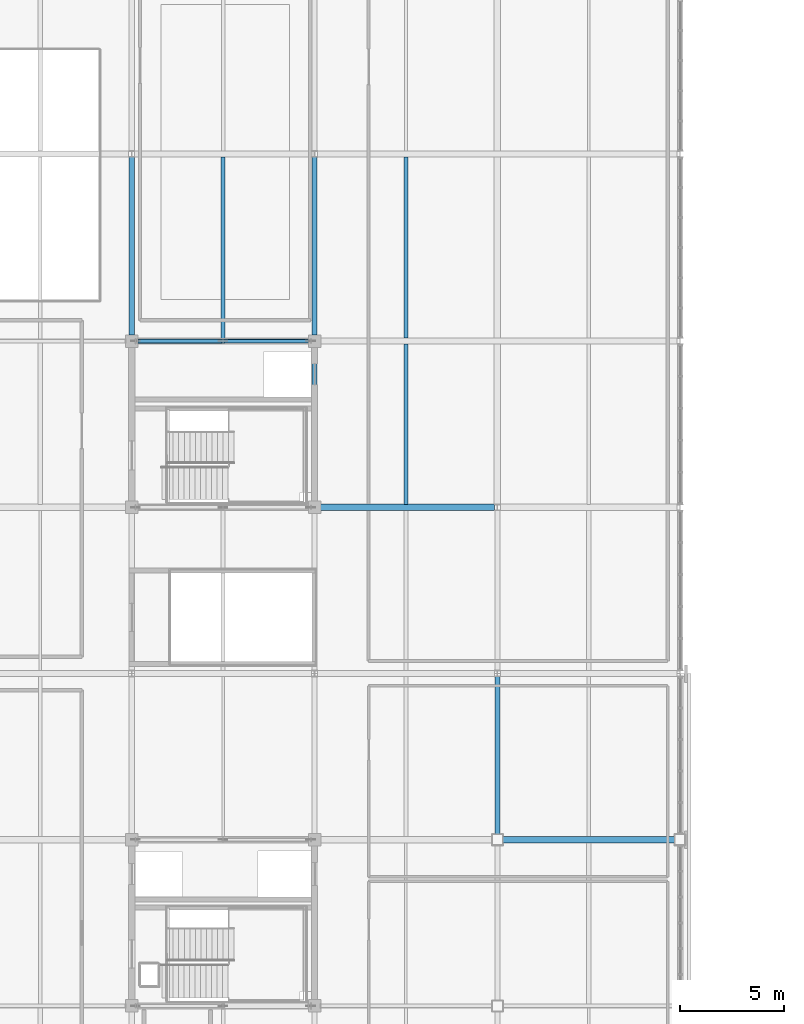
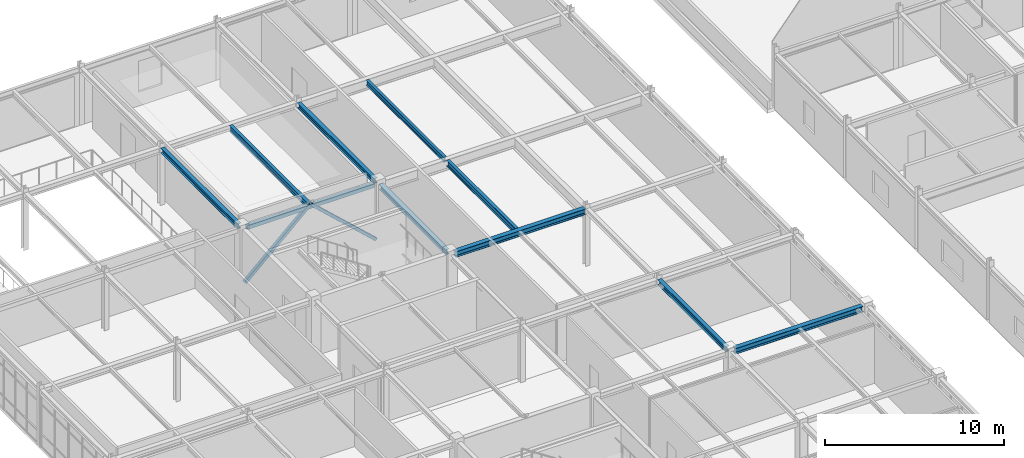
# One storey, part 30 of 88: 10 beams, 2 members.
"""IFC4 building model written with IfcOpenShell, lengths in metres."""

from ifc_helpers import new_model, si_unit, direction, frame, origin, origin_2d, place, context, subcontext, project, spatial, hollow_rectangle, i_section, extrude, material, material_profile, profile_set, type_object, element, save


model = new_model("IFC4")

# Units and contexts
model_context = context("Model", 3, precision=1e-05, world=origin(), true_north=direction((0.0, 1.0)))
body_context = subcontext(model_context, "Body", "Model", "MODEL_VIEW")
ifc_project = project(units=[si_unit("LENGTHUNIT", "METRE"), si_unit("AREAUNIT", "SQUARE_METRE"), si_unit("VOLUMEUNIT", "CUBIC_METRE"), si_unit("PLANEANGLEUNIT", "RADIAN"), si_unit("MASSUNIT", "GRAM", prefix="KILO")], contexts=[model_context])

# Site, building, storey
site_placement = place(None, origin())
site = spatial("IfcSite", under=ifc_project, at=site_placement, CompositionType="ELEMENT")
building_placement = place(site_placement, origin())
building = spatial("IfcBuilding", under=site, at=building_placement, Name="Zhaolan Boulevard Law Courts", CompositionType="ELEMENT")
storey_placement = place(building_placement, frame((0.0, 0.0, 16.199951171875)))
storey = spatial("IfcBuildingStorey", under=building, at=storey_placement, Name="L03", CompositionType="ELEMENT", Elevation=16.199951171875)

# Members
ifc_material_1 = material(Name="Structural steel Q355B", Category="steel")
ifc_material_profile_1 = material_profile(ifc_material_1, hollow_rectangle(XDim=0.199951171875, YDim=0.199951171875, WallThickness=0.010009765625, InnerFilletRadius=0.010009765625, OuterFilletRadius=0.02001953125, at=origin_2d()), Name="HSS200x200x10")
ifc_profile_set_1 = profile_set([ifc_material_profile_1], Name="Structural steel Q355B")
member_type_1 = type_object("IfcMemberType", Name="BRACE HSS200", PredefinedType="BRACE", material=ifc_profile_set_1)
member_1_placement = place(storey_placement, frame((26.219970703125, 94.0, 0.030029296875), z_axis=(-0.73525664892, 0.0, 0.677788802076), x_axis=(0.0, -1.0, 0.0)))
element("IfcMember", 1, at=member_1_placement, inside=storey, type_object=member_type_1, Name="Core Brace BR-L1-L03-N2", PredefinedType="BRACE", context=body_context, shape_type="SweptSolid", body=[
    extrude(hollow_rectangle(XDim=0.199951171875, YDim=0.199951171875, WallThickness=0.010009765625, InnerFilletRadius=0.010009765625, OuterFilletRadius=0.02001953125, at=origin_2d()), origin(), (0.0, 0.0, 1.0), 5.739501953125),
])
ifc_material_2 = material(Name="Structural steel Q355B", Category="steel")
ifc_material_profile_2 = material_profile(ifc_material_2, hollow_rectangle(XDim=0.219970703125, YDim=0.219970703125, WallThickness=0.010009765625, InnerFilletRadius=0.010009765625, OuterFilletRadius=0.02001953125, at=origin_2d()), Name="HSS220x220x10")
ifc_profile_set_2 = profile_set([ifc_material_profile_2], Name="Structural steel Q355B")
member_type_2 = type_object("IfcMemberType", Name="BRACE HSS220", PredefinedType="BRACE", material=ifc_profile_set_2)
member_2_placement = place(storey_placement, frame((17.780029296875, 94.0, 0.030029296875), z_axis=(0.73525664892, 0.0, 0.677788802076), x_axis=(0.0, 1.0, 0.0)))
element("IfcMember", 2, at=member_2_placement, inside=storey, type_object=member_type_2, Name="Core Brace BR-L1-L03-N1", PredefinedType="BRACE", context=body_context, shape_type="SweptSolid", body=[
    extrude(hollow_rectangle(XDim=0.219970703125, YDim=0.219970703125, WallThickness=0.010009765625, InnerFilletRadius=0.010009765625, OuterFilletRadius=0.02001953125, at=origin_2d()), origin(), (0.0, 0.0, 1.0), 5.739501953125),
])

# Beams
ifc_material_3 = material(Name="Structural steel Q355B", Category="steel")
ifc_material_profile_3 = material_profile(ifc_material_3, i_section(OverallWidth=0.25, OverallDepth=0.340087890625, WebThickness=0.009033203125, FlangeThickness=0.013916015625, FilletRadius=0.01611328125, at=origin_2d()), Name="HM340x250")
ifc_profile_set_3 = profile_set([ifc_material_profile_3], Name="Structural steel Q355B")
beam_type_1 = type_object("IfcBeamType", Name="GIRDER HM340", PredefinedType="BEAM", material=ifc_profile_set_3)
beam_1_placement = place(storey_placement, frame((17.60009765625, 94.2958984375, 3.748046875), z_axis=(0.0, 1.0, 0.0), x_axis=(-1.0, 0.0, 0.0)))
element("IfcBeam", 3, at=beam_1_placement, inside=storey, type_object=beam_type_1, Name="Beam BY-L04-3-N-P", PredefinedType="BEAM", context=body_context, shape_type="SweptSolid", body=[
    extrude(i_section(OverallWidth=0.25, OverallDepth=0.340087890625, WebThickness=0.009033203125, FlangeThickness=0.013916015625, FilletRadius=0.01611328125, at=origin_2d()), origin(), (0.0, 0.0, 1.0), 8.55810546875),
])
beam_2_placement = place(storey_placement, frame((26.39990234375, 86.2958984375, 3.748046875), z_axis=(0.0, 1.0, 0.0), x_axis=(-1.0, 0.0, 0.0)))
element("IfcBeam", 4, at=beam_2_placement, inside=storey, type_object=beam_type_1, Name="Beam BY-L04-4-M-N", PredefinedType="BEAM", context=body_context, shape_type="SweptSolid", body=[
    extrude(i_section(OverallWidth=0.25, OverallDepth=0.340087890625, WebThickness=0.009033203125, FlangeThickness=0.013916015625, FilletRadius=0.01611328125, at=origin_2d()), origin(), (0.0, 0.0, 1.0), 7.408203125),
])
beam_3_placement = place(storey_placement, frame((26.39990234375, 94.2958984375, 3.748046875), z_axis=(0.0, 1.0, 0.0), x_axis=(-1.0, 0.0, 0.0)))
element("IfcBeam", 5, at=beam_3_placement, inside=storey, type_object=beam_type_1, Name="Beam BY-L04-4-N-P", PredefinedType="BEAM", context=body_context, shape_type="SweptSolid", body=[
    extrude(i_section(OverallWidth=0.25, OverallDepth=0.340087890625, WebThickness=0.009033203125, FlangeThickness=0.013916015625, FilletRadius=0.01611328125, at=origin_2d()), origin(), (0.0, 0.0, 1.0), 8.55810546875),
])
beam_4_placement = place(storey_placement, frame((35.199951171875, 70.27099609375, 3.778076171875), z_axis=(0.0, 1.0, 0.0), x_axis=(-1.0, 0.0, 0.0)))
element("IfcBeam", 6, at=beam_4_placement, inside=storey, type_object=beam_type_1, Name="Beam BY-L04-5-K-L", PredefinedType="BEAM", context=body_context, shape_type="SweptSolid", body=[
    extrude(i_section(OverallWidth=0.25, OverallDepth=0.340087890625, WebThickness=0.009033203125, FlangeThickness=0.013916015625, FilletRadius=0.01611328125, at=origin_2d()), origin(), (0.0, 0.0, 1.0), 7.5830078125),
])
ifc_material_4 = material(Name="Structural steel Q355B", Category="steel")
ifc_material_profile_4 = material_profile(ifc_material_4, i_section(OverallWidth=0.300048828125, OverallDepth=0.389892578125, WebThickness=0.010009765625, FlangeThickness=0.01611328125, FilletRadius=0.01806640625, at=origin_2d()), Name="HM390x300")
ifc_profile_set_4 = profile_set([ifc_material_profile_4], Name="Structural steel Q355B")
beam_type_2 = type_object("IfcBeamType", Name="GIRDER HM390", PredefinedType="BEAM", material=ifc_profile_set_4)
beam_5_placement = place(storey_placement, frame((35.470947265625, 70.0, 3.7529296875), z_axis=(1.0, 0.0, 0.0), x_axis=(0.0, 1.0, 0.0)))
element("IfcBeam", 7, at=beam_5_placement, inside=storey, type_object=beam_type_2, Name="Beam BX-L04-5-6-K", PredefinedType="BEAM", context=body_context, shape_type="SweptSolid", body=[
    extrude(i_section(OverallWidth=0.300048828125, OverallDepth=0.389892578125, WebThickness=0.010009765625, FlangeThickness=0.01611328125, FilletRadius=0.01806640625, at=origin_2d()), origin(), (0.0, 0.0, 1.0), 8.258056640625),
])
beam_6_placement = place(storey_placement, frame((26.696044921875, 86.0, 3.72314453125), z_axis=(1.0, 0.0, 0.0), x_axis=(0.0, 1.0, 0.0)))
element("IfcBeam", 8, at=beam_6_placement, inside=storey, type_object=beam_type_2, Name="Beam BX-L04-4-5-M", PredefinedType="BEAM", context=body_context, shape_type="SweptSolid", body=[
    extrude(i_section(OverallWidth=0.300048828125, OverallDepth=0.389892578125, WebThickness=0.010009765625, FlangeThickness=0.01611328125, FilletRadius=0.01806640625, at=origin_2d()), origin(), (0.0, 0.0, 1.0), 8.35791015625),
])
ifc_material_5 = material(Name="Structural steel Q355B", Category="steel")
ifc_material_profile_5 = material_profile(ifc_material_5, i_section(OverallWidth=0.175048828125, OverallDepth=0.35009765625, WebThickness=0.007080078125, FlangeThickness=0.010986328125, FilletRadius=0.012939453125, at=origin_2d()), Name="HN350x175")
ifc_profile_set_5 = profile_set([ifc_material_profile_5], Name="Structural steel Q355B")
beam_type_3 = type_object("IfcBeamType", Name="JOIST HN350", PredefinedType="JOIST", material=ifc_profile_set_5)
beam_7_placement = place(storey_placement, frame((30.800048828125, 94.14599609375, 3.7431640625), z_axis=(0.0, 1.0, 0.0), x_axis=(-1.0, 0.0, 0.0)))
element("IfcBeam", 9, at=beam_7_placement, inside=storey, type_object=beam_type_3, Name="Composite Joist J-L04-4N", PredefinedType="JOIST", context=body_context, shape_type="SweptSolid", body=[
    extrude(i_section(OverallWidth=0.175048828125, OverallDepth=0.35009765625, WebThickness=0.007080078125, FlangeThickness=0.010986328125, FilletRadius=0.012939453125, at=origin_2d()), origin(), (0.0, 0.0, 1.0), 8.7080078125),
])
ifc_material_6 = material(Name="Structural steel Q355B", Category="steel")
ifc_material_profile_6 = material_profile(ifc_material_6, i_section(OverallWidth=0.199951171875, OverallDepth=0.39990234375, WebThickness=0.008056640625, FlangeThickness=0.012939453125, FilletRadius=0.013916015625, at=origin_2d()), Name="HN400x200")
ifc_profile_set_6 = profile_set([ifc_material_profile_6], Name="Structural steel Q355B")
beam_type_4 = type_object("IfcBeamType", Name="JOIST HN400", PredefinedType="JOIST", material=ifc_profile_set_6)
beam_8_placement = place(storey_placement, frame((22.0, 94.095947265625, 3.718017578125), z_axis=(0.0, 1.0, 0.0), x_axis=(-1.0, 0.0, 0.0)))
element("IfcBeam", 10, at=beam_8_placement, inside=storey, type_object=beam_type_4, Name="Composite Joist J-L04-3N", PredefinedType="JOIST", context=body_context, shape_type="SweptSolid", body=[
    extrude(i_section(OverallWidth=0.199951171875, OverallDepth=0.39990234375, WebThickness=0.008056640625, FlangeThickness=0.012939453125, FilletRadius=0.013916015625, at=origin_2d()), origin(), (0.0, 0.0, 1.0), 8.758056640625),
])
beam_9_placement = place(storey_placement, frame((30.800048828125, 86.14599609375, 3.718017578125), z_axis=(0.0, 1.0, 0.0), x_axis=(-1.0, 0.0, 0.0)))
element("IfcBeam", 11, at=beam_9_placement, inside=storey, type_object=beam_type_4, Name="Composite Joist J-L04-4M", PredefinedType="JOIST", context=body_context, shape_type="SweptSolid", body=[
    extrude(i_section(OverallWidth=0.199951171875, OverallDepth=0.39990234375, WebThickness=0.008056640625, FlangeThickness=0.012939453125, FilletRadius=0.013916015625, at=origin_2d()), origin(), (0.0, 0.0, 1.0), 7.7080078125),
])
ifc_material_7 = material(Name="Structural steel Q355B", Category="steel")
ifc_material_profile_7 = material_profile(ifc_material_7, hollow_rectangle(XDim=0.199951171875, YDim=0.300048828125, WallThickness=0.011962890625, InnerFilletRadius=0.011962890625, OuterFilletRadius=0.02392578125, at=origin_2d()), Name="HSS300x200x12")
ifc_profile_set_7 = profile_set([ifc_material_profile_7], Name="Structural steel Q355B")
beam_type_5 = type_object("IfcBeamType", Name="SPANDREL HSS300", PredefinedType="SPANDREL", material=ifc_profile_set_7)
beam_10_placement = place(storey_placement, frame((17.89599609375, 94.0, 3.76806640625), z_axis=(1.0, 0.0, 0.0), x_axis=(0.0, 1.0, 0.0)))
element("IfcBeam", 12, at=beam_10_placement, inside=storey, type_object=beam_type_5, Name="Beam BX-L04-3-4-N", PredefinedType="SPANDREL", context=body_context, shape_type="SweptSolid", body=[
    extrude(hollow_rectangle(XDim=0.199951171875, YDim=0.300048828125, WallThickness=0.011962890625, InnerFilletRadius=0.011962890625, OuterFilletRadius=0.02392578125, at=origin_2d()), origin(), (0.0, 0.0, 1.0), 8.2080078125),
])

save(model, "model.ifc")
